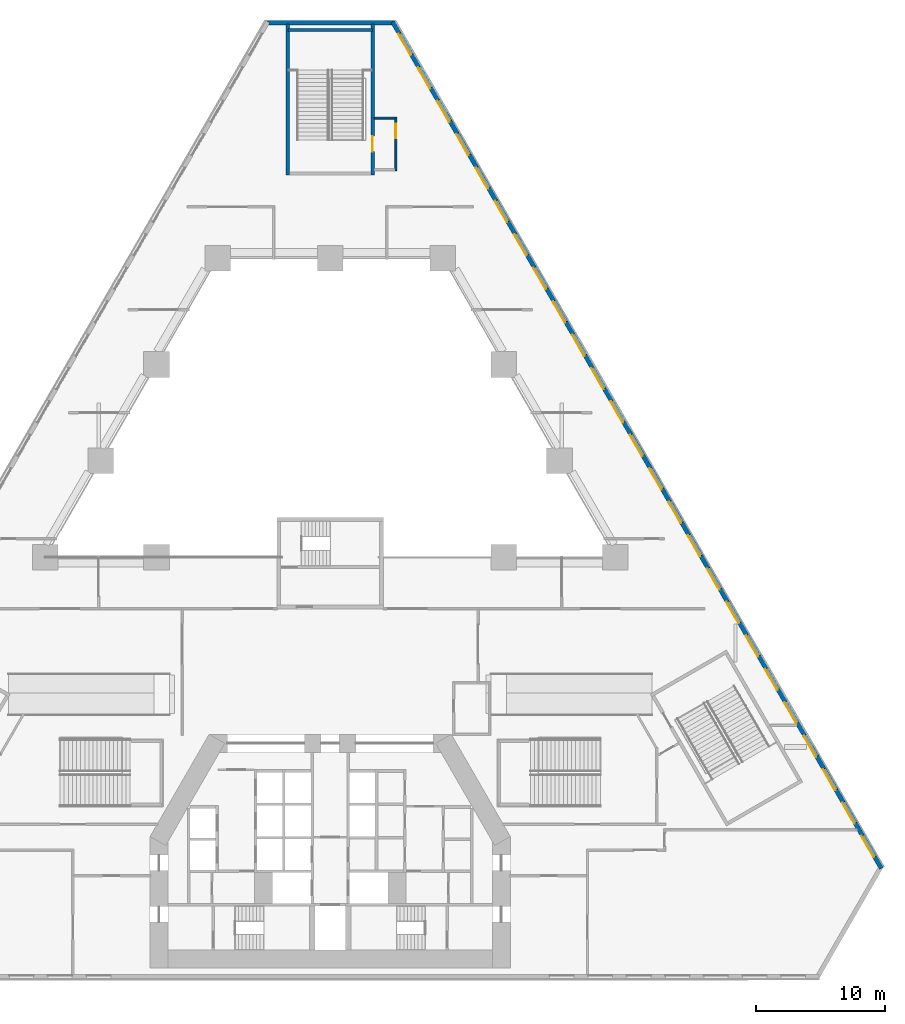
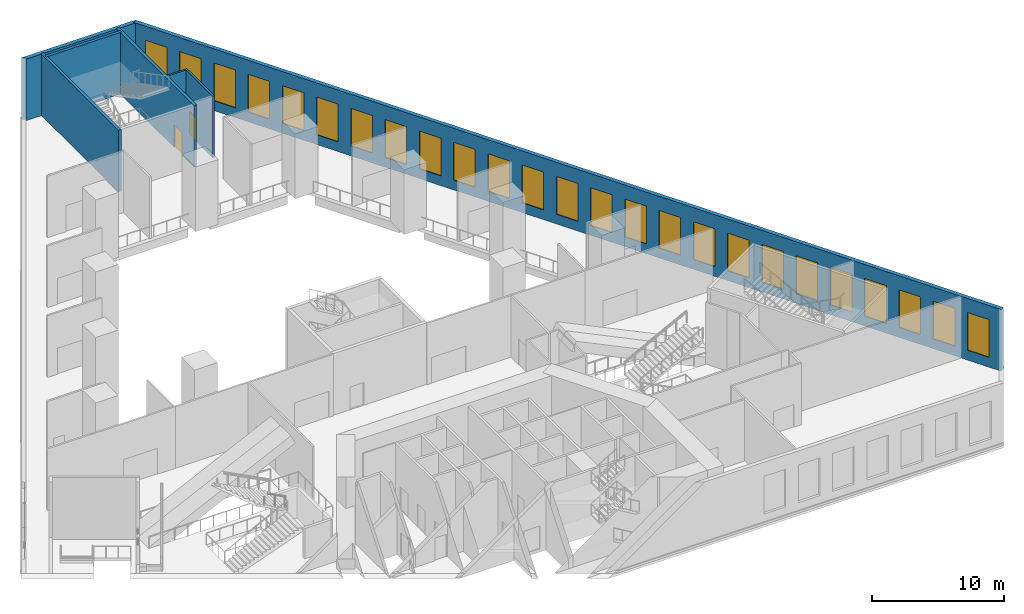
# One storey, part 8 of 16: 25 windows, 7 walls, 2 doors, 27 openings.
"""IFC4 building model written with IfcOpenShell, lengths in metres."""

from ifc_helpers import new_model, si_unit, direction, frame, frame_2d, origin, place, context, subcontext, project, spatial, polyline, rectangle, outline, extrude, material, layer, layer_set, type_object, element, fill, save


model = new_model("IFC4")

# Units and contexts
model_context = context("Model", 3, precision=1e-05, world=origin(), true_north=direction((0.0, 1.0)))
body_context = subcontext(model_context, "Body", "Model", "MODEL_VIEW")
ifc_project = project(units=[si_unit("LENGTHUNIT", "METRE"), si_unit("AREAUNIT", "SQUARE_METRE"), si_unit("VOLUMEUNIT", "CUBIC_METRE"), si_unit("PLANEANGLEUNIT", "RADIAN"), si_unit("MASSUNIT", "GRAM", prefix="KILO")], contexts=[model_context])

# Site, building, storey
site_placement = place(None, origin())
site = spatial("IfcSite", under=ifc_project, at=site_placement, CompositionType="ELEMENT")
building_placement = place(site_placement, origin())
building = spatial("IfcBuilding", under=site, at=building_placement, Name="Fogline Exchange Tower", CompositionType="ELEMENT")
storey_placement = place(building_placement, frame((0.0, 0.0, 14.0)))
storey = spatial("IfcBuildingStorey", under=building, at=storey_placement, Name="L02", CompositionType="ELEMENT", Elevation=14.0)

# Wall, openings, windows
ifc_material_1 = material(Name="Brick masonry", Category="masonry")
ifc_layer_1 = layer(ifc_material_1, 0.340087890625)
ifc_layer_set_1 = layer_set([ifc_layer_1], Name="FW1")
wall_type_1 = type_object("IfcWallType", Name="FW1", PredefinedType="SOLIDWALL", material=ifc_layer_set_1)
wall_1_placement = place(storey_placement, frame((42.852783203125, 8.5751953125, 0.0), z_axis=(0.0, 0.0, 1.0), x_axis=(-0.49999894854, 0.866026010844, 0.0)))
wall_1 = element("IfcWall", 1, at=wall_1_placement, inside=storey, type_object=wall_type_1, Name="Brick wall L02 E", PredefinedType="SOLIDWALL", context=body_context, shape_type="SweptSolid", body=[
    extrude(rectangle(XDim=76.000244140625, YDim=0.340087890625, at=frame_2d((38.0, 0.0))), origin(), (0.0, 0.0, 1.0), 5.699951171875),
])
opening_1_placement = place(wall_1_placement, frame((1.0576171875, 0.0, 0.89990234375)))
opening_1 = element("IfcOpeningElement", 2, at=opening_1_placement, cuts=wall_1, Name="Opening W7", PredefinedType="OPENING", context=body_context, shape_type="SweptSolid", body=[
    extrude(rectangle(XDim=1.885009765625, YDim=3.5, at=frame_2d((0.9423828125, 1.75))), frame((0.0, 0.18017578125, 0.0), z_axis=(0.0, -1.0, 0.0), x_axis=(1.0, 0.0, 0.0)), (0.0, 0.0, 1.0), 0.360107421875),
])
opening_2_placement = place(wall_1_placement, frame((4.0576171875, 0.0, 0.89990234375)))
opening_2 = element("IfcOpeningElement", 3, at=opening_2_placement, cuts=wall_1, Name="Opening W7", PredefinedType="OPENING", context=body_context, shape_type="SweptSolid", body=[
    extrude(rectangle(XDim=1.885009765625, YDim=3.5, at=frame_2d((0.9423828125, 1.75))), frame((0.0, 0.18017578125, 0.0), z_axis=(0.0, -1.0, 0.0), x_axis=(1.0, 0.0, 0.0)), (0.0, 0.0, 1.0), 0.360107421875),
])
opening_3_placement = place(wall_1_placement, frame((7.0576171875, 0.0, 0.89990234375)))
opening_3 = element("IfcOpeningElement", 4, at=opening_3_placement, cuts=wall_1, Name="Opening W7", PredefinedType="OPENING", context=body_context, shape_type="SweptSolid", body=[
    extrude(rectangle(XDim=1.885009765625, YDim=3.5, at=frame_2d((0.9423828125, 1.75))), frame((0.0, 0.18017578125, 0.0), z_axis=(0.0, -1.0, 0.0), x_axis=(1.0, 0.0, 0.0)), (0.0, 0.0, 1.0), 0.360107421875),
])
opening_4_placement = place(wall_1_placement, frame((10.0576171875, 0.0, 0.89990234375)))
opening_4 = element("IfcOpeningElement", 5, at=opening_4_placement, cuts=wall_1, Name="Opening W7", PredefinedType="OPENING", context=body_context, shape_type="SweptSolid", body=[
    extrude(rectangle(XDim=1.885009765625, YDim=3.5, at=frame_2d((0.9423828125, 1.75))), frame((0.0, 0.18017578125, 0.0), z_axis=(0.0, -1.0, 0.0), x_axis=(1.0, 0.0, 0.0)), (0.0, 0.0, 1.0), 0.360107421875),
])
opening_5_placement = place(wall_1_placement, frame((13.0576171875, 0.0, 0.89990234375)))
opening_5 = element("IfcOpeningElement", 6, at=opening_5_placement, cuts=wall_1, Name="Opening W7", PredefinedType="OPENING", context=body_context, shape_type="SweptSolid", body=[
    extrude(rectangle(XDim=1.885009765625, YDim=3.5, at=frame_2d((0.9423828125, 1.75))), frame((0.0, 0.18017578125, 0.0), z_axis=(0.0, -1.0, 0.0), x_axis=(1.0, 0.0, 0.0)), (0.0, 0.0, 1.0), 0.360107421875),
])
opening_6_placement = place(wall_1_placement, frame((16.0576171875, 0.0, 0.89990234375)))
opening_6 = element("IfcOpeningElement", 7, at=opening_6_placement, cuts=wall_1, Name="Opening W7", PredefinedType="OPENING", context=body_context, shape_type="SweptSolid", body=[
    extrude(rectangle(XDim=1.885009765625, YDim=3.5, at=frame_2d((0.9423828125, 1.75))), frame((0.0, 0.18017578125, 0.0), z_axis=(0.0, -1.0, 0.0), x_axis=(1.0, 0.0, 0.0)), (0.0, 0.0, 1.0), 0.360107421875),
])
opening_7_placement = place(wall_1_placement, frame((19.0576171875, 0.0, 0.89990234375)))
opening_7 = element("IfcOpeningElement", 8, at=opening_7_placement, cuts=wall_1, Name="Opening W7", PredefinedType="OPENING", context=body_context, shape_type="SweptSolid", body=[
    extrude(rectangle(XDim=1.885009765625, YDim=3.5, at=frame_2d((0.9423828125, 1.75))), frame((0.0, 0.18017578125, 0.0), z_axis=(0.0, -1.0, 0.0), x_axis=(1.0, 0.0, 0.0)), (0.0, 0.0, 1.0), 0.360107421875),
])
opening_8_placement = place(wall_1_placement, frame((22.0576171875, 0.0, 0.89990234375)))
opening_8 = element("IfcOpeningElement", 9, at=opening_8_placement, cuts=wall_1, Name="Opening W7", PredefinedType="OPENING", context=body_context, shape_type="SweptSolid", body=[
    extrude(rectangle(XDim=1.885009765625, YDim=3.5, at=frame_2d((0.9423828125, 1.75))), frame((0.0, 0.18017578125, 0.0), z_axis=(0.0, -1.0, 0.0), x_axis=(1.0, 0.0, 0.0)), (0.0, 0.0, 1.0), 0.360107421875),
])
opening_9_placement = place(wall_1_placement, frame((25.0576171875, 0.0, 0.89990234375)))
opening_9 = element("IfcOpeningElement", 10, at=opening_9_placement, cuts=wall_1, Name="Opening W7", PredefinedType="OPENING", context=body_context, shape_type="SweptSolid", body=[
    extrude(rectangle(XDim=1.885009765625, YDim=3.5, at=frame_2d((0.9423828125, 1.75))), frame((0.0, 0.18017578125, 0.0), z_axis=(0.0, -1.0, 0.0), x_axis=(1.0, 0.0, 0.0)), (0.0, 0.0, 1.0), 0.360107421875),
])
opening_10_placement = place(wall_1_placement, frame((28.0576171875, 0.0, 0.89990234375)))
opening_10 = element("IfcOpeningElement", 11, at=opening_10_placement, cuts=wall_1, Name="Opening W7", PredefinedType="OPENING", context=body_context, shape_type="SweptSolid", body=[
    extrude(rectangle(XDim=1.885009765625, YDim=3.5, at=frame_2d((0.9423828125, 1.75))), frame((0.0, 0.18017578125, 0.0), z_axis=(0.0, -1.0, 0.0), x_axis=(1.0, 0.0, 0.0)), (0.0, 0.0, 1.0), 0.360107421875),
])
opening_11_placement = place(wall_1_placement, frame((31.0576171875, 0.0, 0.89990234375)))
opening_11 = element("IfcOpeningElement", 12, at=opening_11_placement, cuts=wall_1, Name="Opening W7", PredefinedType="OPENING", context=body_context, shape_type="SweptSolid", body=[
    extrude(rectangle(XDim=1.885009765625, YDim=3.5, at=frame_2d((0.9423828125, 1.75))), frame((0.0, 0.18017578125, 0.0), z_axis=(0.0, -1.0, 0.0), x_axis=(1.0, 0.0, 0.0)), (0.0, 0.0, 1.0), 0.360107421875),
])
opening_12_placement = place(wall_1_placement, frame((34.0576171875, 0.0, 0.89990234375)))
opening_12 = element("IfcOpeningElement", 13, at=opening_12_placement, cuts=wall_1, Name="Opening W7", PredefinedType="OPENING", context=body_context, shape_type="SweptSolid", body=[
    extrude(rectangle(XDim=1.885009765625, YDim=3.5, at=frame_2d((0.9423828125, 1.75))), frame((0.0, 0.18017578125, 0.0), z_axis=(0.0, -1.0, 0.0), x_axis=(1.0, 0.0, 0.0)), (0.0, 0.0, 1.0), 0.360107421875),
])
opening_13_placement = place(wall_1_placement, frame((37.0576171875, 0.0, 0.89990234375)))
opening_13 = element("IfcOpeningElement", 14, at=opening_13_placement, cuts=wall_1, Name="Opening W7", PredefinedType="OPENING", context=body_context, shape_type="SweptSolid", body=[
    extrude(rectangle(XDim=1.885009765625, YDim=3.5, at=frame_2d((0.9423828125, 1.75))), frame((0.0, 0.18017578125, 0.0), z_axis=(0.0, -1.0, 0.0), x_axis=(1.0, 0.0, 0.0)), (0.0, 0.0, 1.0), 0.360107421875),
])
opening_14_placement = place(wall_1_placement, frame((40.0576171875, 0.0, 0.89990234375)))
opening_14 = element("IfcOpeningElement", 15, at=opening_14_placement, cuts=wall_1, Name="Opening W7", PredefinedType="OPENING", context=body_context, shape_type="SweptSolid", body=[
    extrude(rectangle(XDim=1.885009765625, YDim=3.5, at=frame_2d((0.9423828125, 1.75))), frame((0.0, 0.18017578125, 0.0), z_axis=(0.0, -1.0, 0.0), x_axis=(1.0, 0.0, 0.0)), (0.0, 0.0, 1.0), 0.360107421875),
])
opening_15_placement = place(wall_1_placement, frame((43.0576171875, 0.0, 0.89990234375)))
opening_15 = element("IfcOpeningElement", 16, at=opening_15_placement, cuts=wall_1, Name="Opening W7", PredefinedType="OPENING", context=body_context, shape_type="SweptSolid", body=[
    extrude(rectangle(XDim=1.885009765625, YDim=3.5, at=frame_2d((0.9423828125, 1.75))), frame((0.0, 0.18017578125, 0.0), z_axis=(0.0, -1.0, 0.0), x_axis=(1.0, 0.0, 0.0)), (0.0, 0.0, 1.0), 0.360107421875),
])
opening_16_placement = place(wall_1_placement, frame((46.0576171875, 0.0, 0.89990234375)))
opening_16 = element("IfcOpeningElement", 17, at=opening_16_placement, cuts=wall_1, Name="Opening W7", PredefinedType="OPENING", context=body_context, shape_type="SweptSolid", body=[
    extrude(rectangle(XDim=1.885009765625, YDim=3.5, at=frame_2d((0.9423828125, 1.75))), frame((0.0, 0.18017578125, 0.0), z_axis=(0.0, -1.0, 0.0), x_axis=(1.0, 0.0, 0.0)), (0.0, 0.0, 1.0), 0.360107421875),
])
opening_17_placement = place(wall_1_placement, frame((49.0576171875, 0.0, 0.89990234375)))
opening_17 = element("IfcOpeningElement", 18, at=opening_17_placement, cuts=wall_1, Name="Opening W7", PredefinedType="OPENING", context=body_context, shape_type="SweptSolid", body=[
    extrude(rectangle(XDim=1.885009765625, YDim=3.5, at=frame_2d((0.9423828125, 1.75))), frame((0.0, 0.18017578125, 0.0), z_axis=(0.0, -1.0, 0.0), x_axis=(1.0, 0.0, 0.0)), (0.0, 0.0, 1.0), 0.360107421875),
])
opening_18_placement = place(wall_1_placement, frame((52.0576171875, 0.0, 0.89990234375)))
opening_18 = element("IfcOpeningElement", 19, at=opening_18_placement, cuts=wall_1, Name="Opening W7", PredefinedType="OPENING", context=body_context, shape_type="SweptSolid", body=[
    extrude(rectangle(XDim=1.885009765625, YDim=3.5, at=frame_2d((0.9423828125, 1.75))), frame((0.0, 0.18017578125, 0.0), z_axis=(0.0, -1.0, 0.0), x_axis=(1.0, 0.0, 0.0)), (0.0, 0.0, 1.0), 0.360107421875),
])
opening_19_placement = place(wall_1_placement, frame((55.0576171875, 0.0, 0.89990234375)))
opening_19 = element("IfcOpeningElement", 20, at=opening_19_placement, cuts=wall_1, Name="Opening W7", PredefinedType="OPENING", context=body_context, shape_type="SweptSolid", body=[
    extrude(rectangle(XDim=1.885009765625, YDim=3.5, at=frame_2d((0.9423828125, 1.75))), frame((0.0, 0.18017578125, 0.0), z_axis=(0.0, -1.0, 0.0), x_axis=(1.0, 0.0, 0.0)), (0.0, 0.0, 1.0), 0.360107421875),
])
opening_20_placement = place(wall_1_placement, frame((58.0576171875, 0.0, 0.89990234375)))
opening_20 = element("IfcOpeningElement", 21, at=opening_20_placement, cuts=wall_1, Name="Opening W7", PredefinedType="OPENING", context=body_context, shape_type="SweptSolid", body=[
    extrude(rectangle(XDim=1.885009765625, YDim=3.5, at=frame_2d((0.9423828125, 1.75))), frame((0.0, 0.18017578125, 0.0), z_axis=(0.0, -1.0, 0.0), x_axis=(1.0, 0.0, 0.0)), (0.0, 0.0, 1.0), 0.360107421875),
])
opening_21_placement = place(wall_1_placement, frame((61.0576171875, 0.0, 0.89990234375)))
opening_21 = element("IfcOpeningElement", 22, at=opening_21_placement, cuts=wall_1, Name="Opening W7", PredefinedType="OPENING", context=body_context, shape_type="SweptSolid", body=[
    extrude(rectangle(XDim=1.885009765625, YDim=3.5, at=frame_2d((0.9423828125, 1.75))), frame((0.0, 0.18017578125, 0.0), z_axis=(0.0, -1.0, 0.0), x_axis=(1.0, 0.0, 0.0)), (0.0, 0.0, 1.0), 0.360107421875),
])
opening_22_placement = place(wall_1_placement, frame((64.0576171875, 0.0, 0.89990234375)))
opening_22 = element("IfcOpeningElement", 23, at=opening_22_placement, cuts=wall_1, Name="Opening W7", PredefinedType="OPENING", context=body_context, shape_type="SweptSolid", body=[
    extrude(rectangle(XDim=1.885009765625, YDim=3.5, at=frame_2d((0.9423828125, 1.75))), frame((0.0, 0.18017578125, 0.0), z_axis=(0.0, -1.0, 0.0), x_axis=(1.0, 0.0, 0.0)), (0.0, 0.0, 1.0), 0.360107421875),
])
opening_23_placement = place(wall_1_placement, frame((67.0576171875, 0.0, 0.89990234375)))
opening_23 = element("IfcOpeningElement", 24, at=opening_23_placement, cuts=wall_1, Name="Opening W7", PredefinedType="OPENING", context=body_context, shape_type="SweptSolid", body=[
    extrude(rectangle(XDim=1.885009765625, YDim=3.5, at=frame_2d((0.9423828125, 1.75))), frame((0.0, 0.18017578125, 0.0), z_axis=(0.0, -1.0, 0.0), x_axis=(1.0, 0.0, 0.0)), (0.0, 0.0, 1.0), 0.360107421875),
])
opening_24_placement = place(wall_1_placement, frame((70.0576171875, 0.0, 0.89990234375)))
opening_24 = element("IfcOpeningElement", 25, at=opening_24_placement, cuts=wall_1, Name="Opening W7", PredefinedType="OPENING", context=body_context, shape_type="SweptSolid", body=[
    extrude(rectangle(XDim=1.885009765625, YDim=3.5, at=frame_2d((0.9423828125, 1.75))), frame((0.0, 0.18017578125, 0.0), z_axis=(0.0, -1.0, 0.0), x_axis=(1.0, 0.0, 0.0)), (0.0, 0.0, 1.0), 0.360107421875),
])
opening_25_placement = place(wall_1_placement, frame((73.0576171875, 0.0, 0.89990234375)))
opening_25 = element("IfcOpeningElement", 26, at=opening_25_placement, cuts=wall_1, Name="Opening W7", PredefinedType="OPENING", context=body_context, shape_type="SweptSolid", body=[
    extrude(rectangle(XDim=1.885009765625, YDim=3.5, at=frame_2d((0.9423828125, 1.75))), frame((0.0, 0.18017578125, 0.0), z_axis=(0.0, -1.0, 0.0), x_axis=(1.0, 0.0, 0.0)), (0.0, 0.0, 1.0), 0.360107421875),
])
ifc_material_2 = material(Name="Aluminium and glass", Category="aluminium")
window_type = type_object("IfcWindowType", Name="W7", PartitioningType="SINGLE_PANEL", PredefinedType="WINDOW", material=ifc_material_2)
window_1_placement = place(opening_1_placement, origin())
window_1 = element("IfcWindow", 27, at=window_1_placement, inside=storey, type_object=window_type, Name="W7 W7", OverallHeight=3.5, OverallWidth=1.885009765625, PartitioningType="SINGLE_PANEL", PredefinedType="WINDOW", context=body_context, shape_type="SweptSolid", body=[
    extrude(rectangle(XDim=1.885009765625, YDim=3.5, at=frame_2d((0.9423828125, 1.75))), frame((0.0, 0.110107421875, 0.0), z_axis=(0.0, -1.0, 0.0), x_axis=(1.0, 0.0, 0.0)), (0.0, 0.0, 1.0), 0.06005859375),
])
fill(opening_1, window_1)
window_2_placement = place(opening_2_placement, origin())
window_2 = element("IfcWindow", 28, at=window_2_placement, inside=storey, type_object=window_type, Name="W7 W7", OverallHeight=3.5, OverallWidth=1.885009765625, PartitioningType="SINGLE_PANEL", PredefinedType="WINDOW", context=body_context, shape_type="SweptSolid", body=[
    extrude(rectangle(XDim=1.885009765625, YDim=3.5, at=frame_2d((0.9423828125, 1.75))), frame((0.0, 0.110107421875, 0.0), z_axis=(0.0, -1.0, 0.0), x_axis=(1.0, 0.0, 0.0)), (0.0, 0.0, 1.0), 0.06005859375),
])
fill(opening_2, window_2)
window_3_placement = place(opening_3_placement, origin())
window_3 = element("IfcWindow", 29, at=window_3_placement, inside=storey, type_object=window_type, Name="W7 W7", OverallHeight=3.5, OverallWidth=1.885009765625, PartitioningType="SINGLE_PANEL", PredefinedType="WINDOW", context=body_context, shape_type="SweptSolid", body=[
    extrude(rectangle(XDim=1.885009765625, YDim=3.5, at=frame_2d((0.9423828125, 1.75))), frame((0.0, 0.110107421875, 0.0), z_axis=(0.0, -1.0, 0.0), x_axis=(1.0, 0.0, 0.0)), (0.0, 0.0, 1.0), 0.06005859375),
])
fill(opening_3, window_3)
window_4_placement = place(opening_4_placement, origin())
window_4 = element("IfcWindow", 30, at=window_4_placement, inside=storey, type_object=window_type, Name="W7 W7", OverallHeight=3.5, OverallWidth=1.885009765625, PartitioningType="SINGLE_PANEL", PredefinedType="WINDOW", context=body_context, shape_type="SweptSolid", body=[
    extrude(rectangle(XDim=1.885009765625, YDim=3.5, at=frame_2d((0.9423828125, 1.75))), frame((0.0, 0.110107421875, 0.0), z_axis=(0.0, -1.0, 0.0), x_axis=(1.0, 0.0, 0.0)), (0.0, 0.0, 1.0), 0.06005859375),
])
fill(opening_4, window_4)
window_5_placement = place(opening_5_placement, origin())
window_5 = element("IfcWindow", 31, at=window_5_placement, inside=storey, type_object=window_type, Name="W7 W7", OverallHeight=3.5, OverallWidth=1.885009765625, PartitioningType="SINGLE_PANEL", PredefinedType="WINDOW", context=body_context, shape_type="SweptSolid", body=[
    extrude(rectangle(XDim=1.885009765625, YDim=3.5, at=frame_2d((0.9423828125, 1.75))), frame((0.0, 0.110107421875, 0.0), z_axis=(0.0, -1.0, 0.0), x_axis=(1.0, 0.0, 0.0)), (0.0, 0.0, 1.0), 0.06005859375),
])
fill(opening_5, window_5)
window_6_placement = place(opening_6_placement, origin())
window_6 = element("IfcWindow", 32, at=window_6_placement, inside=storey, type_object=window_type, Name="W7 W7", OverallHeight=3.5, OverallWidth=1.885009765625, PartitioningType="SINGLE_PANEL", PredefinedType="WINDOW", context=body_context, shape_type="SweptSolid", body=[
    extrude(rectangle(XDim=1.885009765625, YDim=3.5, at=frame_2d((0.9423828125, 1.75))), frame((0.0, 0.110107421875, 0.0), z_axis=(0.0, -1.0, 0.0), x_axis=(1.0, 0.0, 0.0)), (0.0, 0.0, 1.0), 0.06005859375),
])
fill(opening_6, window_6)
window_7_placement = place(opening_7_placement, origin())
window_7 = element("IfcWindow", 33, at=window_7_placement, inside=storey, type_object=window_type, Name="W7 W7", OverallHeight=3.5, OverallWidth=1.885009765625, PartitioningType="SINGLE_PANEL", PredefinedType="WINDOW", context=body_context, shape_type="SweptSolid", body=[
    extrude(rectangle(XDim=1.885009765625, YDim=3.5, at=frame_2d((0.9423828125, 1.75))), frame((0.0, 0.110107421875, 0.0), z_axis=(0.0, -1.0, 0.0), x_axis=(1.0, 0.0, 0.0)), (0.0, 0.0, 1.0), 0.06005859375),
])
fill(opening_7, window_7)
window_8_placement = place(opening_8_placement, origin())
window_8 = element("IfcWindow", 34, at=window_8_placement, inside=storey, type_object=window_type, Name="W7 W7", OverallHeight=3.5, OverallWidth=1.885009765625, PartitioningType="SINGLE_PANEL", PredefinedType="WINDOW", context=body_context, shape_type="SweptSolid", body=[
    extrude(rectangle(XDim=1.885009765625, YDim=3.5, at=frame_2d((0.9423828125, 1.75))), frame((0.0, 0.110107421875, 0.0), z_axis=(0.0, -1.0, 0.0), x_axis=(1.0, 0.0, 0.0)), (0.0, 0.0, 1.0), 0.06005859375),
])
fill(opening_8, window_8)
window_9_placement = place(opening_9_placement, origin())
window_9 = element("IfcWindow", 35, at=window_9_placement, inside=storey, type_object=window_type, Name="W7 W7", OverallHeight=3.5, OverallWidth=1.885009765625, PartitioningType="SINGLE_PANEL", PredefinedType="WINDOW", context=body_context, shape_type="SweptSolid", body=[
    extrude(rectangle(XDim=1.885009765625, YDim=3.5, at=frame_2d((0.9423828125, 1.75))), frame((0.0, 0.110107421875, 0.0), z_axis=(0.0, -1.0, 0.0), x_axis=(1.0, 0.0, 0.0)), (0.0, 0.0, 1.0), 0.06005859375),
])
fill(opening_9, window_9)
window_10_placement = place(opening_10_placement, origin())
window_10 = element("IfcWindow", 36, at=window_10_placement, inside=storey, type_object=window_type, Name="W7 W7", OverallHeight=3.5, OverallWidth=1.885009765625, PartitioningType="SINGLE_PANEL", PredefinedType="WINDOW", context=body_context, shape_type="SweptSolid", body=[
    extrude(rectangle(XDim=1.885009765625, YDim=3.5, at=frame_2d((0.9423828125, 1.75))), frame((0.0, 0.110107421875, 0.0), z_axis=(0.0, -1.0, 0.0), x_axis=(1.0, 0.0, 0.0)), (0.0, 0.0, 1.0), 0.06005859375),
])
fill(opening_10, window_10)
window_11_placement = place(opening_11_placement, origin())
window_11 = element("IfcWindow", 37, at=window_11_placement, inside=storey, type_object=window_type, Name="W7 W7", OverallHeight=3.5, OverallWidth=1.885009765625, PartitioningType="SINGLE_PANEL", PredefinedType="WINDOW", context=body_context, shape_type="SweptSolid", body=[
    extrude(rectangle(XDim=1.885009765625, YDim=3.5, at=frame_2d((0.9423828125, 1.75))), frame((0.0, 0.110107421875, 0.0), z_axis=(0.0, -1.0, 0.0), x_axis=(1.0, 0.0, 0.0)), (0.0, 0.0, 1.0), 0.06005859375),
])
fill(opening_11, window_11)
window_12_placement = place(opening_12_placement, origin())
window_12 = element("IfcWindow", 38, at=window_12_placement, inside=storey, type_object=window_type, Name="W7 W7", OverallHeight=3.5, OverallWidth=1.885009765625, PartitioningType="SINGLE_PANEL", PredefinedType="WINDOW", context=body_context, shape_type="SweptSolid", body=[
    extrude(rectangle(XDim=1.885009765625, YDim=3.5, at=frame_2d((0.9423828125, 1.75))), frame((0.0, 0.110107421875, 0.0), z_axis=(0.0, -1.0, 0.0), x_axis=(1.0, 0.0, 0.0)), (0.0, 0.0, 1.0), 0.06005859375),
])
fill(opening_12, window_12)
window_13_placement = place(opening_13_placement, origin())
window_13 = element("IfcWindow", 39, at=window_13_placement, inside=storey, type_object=window_type, Name="W7 W7", OverallHeight=3.5, OverallWidth=1.885009765625, PartitioningType="SINGLE_PANEL", PredefinedType="WINDOW", context=body_context, shape_type="SweptSolid", body=[
    extrude(rectangle(XDim=1.885009765625, YDim=3.5, at=frame_2d((0.9423828125, 1.75))), frame((0.0, 0.110107421875, 0.0), z_axis=(0.0, -1.0, 0.0), x_axis=(1.0, 0.0, 0.0)), (0.0, 0.0, 1.0), 0.06005859375),
])
fill(opening_13, window_13)
window_14_placement = place(opening_14_placement, origin())
window_14 = element("IfcWindow", 40, at=window_14_placement, inside=storey, type_object=window_type, Name="W7 W7", OverallHeight=3.5, OverallWidth=1.885009765625, PartitioningType="SINGLE_PANEL", PredefinedType="WINDOW", context=body_context, shape_type="SweptSolid", body=[
    extrude(rectangle(XDim=1.885009765625, YDim=3.5, at=frame_2d((0.9423828125, 1.75))), frame((0.0, 0.110107421875, 0.0), z_axis=(0.0, -1.0, 0.0), x_axis=(1.0, 0.0, 0.0)), (0.0, 0.0, 1.0), 0.06005859375),
])
fill(opening_14, window_14)
window_15_placement = place(opening_15_placement, origin())
window_15 = element("IfcWindow", 41, at=window_15_placement, inside=storey, type_object=window_type, Name="W7 W7", OverallHeight=3.5, OverallWidth=1.885009765625, PartitioningType="SINGLE_PANEL", PredefinedType="WINDOW", context=body_context, shape_type="SweptSolid", body=[
    extrude(rectangle(XDim=1.885009765625, YDim=3.5, at=frame_2d((0.9423828125, 1.75))), frame((0.0, 0.110107421875, 0.0), z_axis=(0.0, -1.0, 0.0), x_axis=(1.0, 0.0, 0.0)), (0.0, 0.0, 1.0), 0.06005859375),
])
fill(opening_15, window_15)
window_16_placement = place(opening_16_placement, origin())
window_16 = element("IfcWindow", 42, at=window_16_placement, inside=storey, type_object=window_type, Name="W7 W7", OverallHeight=3.5, OverallWidth=1.885009765625, PartitioningType="SINGLE_PANEL", PredefinedType="WINDOW", context=body_context, shape_type="SweptSolid", body=[
    extrude(rectangle(XDim=1.885009765625, YDim=3.5, at=frame_2d((0.9423828125, 1.75))), frame((0.0, 0.110107421875, 0.0), z_axis=(0.0, -1.0, 0.0), x_axis=(1.0, 0.0, 0.0)), (0.0, 0.0, 1.0), 0.06005859375),
])
fill(opening_16, window_16)
window_17_placement = place(opening_17_placement, origin())
window_17 = element("IfcWindow", 43, at=window_17_placement, inside=storey, type_object=window_type, Name="W7 W7", OverallHeight=3.5, OverallWidth=1.885009765625, PartitioningType="SINGLE_PANEL", PredefinedType="WINDOW", context=body_context, shape_type="SweptSolid", body=[
    extrude(rectangle(XDim=1.885009765625, YDim=3.5, at=frame_2d((0.9423828125, 1.75))), frame((0.0, 0.110107421875, 0.0), z_axis=(0.0, -1.0, 0.0), x_axis=(1.0, 0.0, 0.0)), (0.0, 0.0, 1.0), 0.06005859375),
])
fill(opening_17, window_17)
window_18_placement = place(opening_18_placement, origin())
window_18 = element("IfcWindow", 44, at=window_18_placement, inside=storey, type_object=window_type, Name="W7 W7", OverallHeight=3.5, OverallWidth=1.885009765625, PartitioningType="SINGLE_PANEL", PredefinedType="WINDOW", context=body_context, shape_type="SweptSolid", body=[
    extrude(rectangle(XDim=1.885009765625, YDim=3.5, at=frame_2d((0.9423828125, 1.75))), frame((0.0, 0.110107421875, 0.0), z_axis=(0.0, -1.0, 0.0), x_axis=(1.0, 0.0, 0.0)), (0.0, 0.0, 1.0), 0.06005859375),
])
fill(opening_18, window_18)
window_19_placement = place(opening_19_placement, origin())
window_19 = element("IfcWindow", 45, at=window_19_placement, inside=storey, type_object=window_type, Name="W7 W7", OverallHeight=3.5, OverallWidth=1.885009765625, PartitioningType="SINGLE_PANEL", PredefinedType="WINDOW", context=body_context, shape_type="SweptSolid", body=[
    extrude(rectangle(XDim=1.885009765625, YDim=3.5, at=frame_2d((0.9423828125, 1.75))), frame((0.0, 0.110107421875, 0.0), z_axis=(0.0, -1.0, 0.0), x_axis=(1.0, 0.0, 0.0)), (0.0, 0.0, 1.0), 0.06005859375),
])
fill(opening_19, window_19)
window_20_placement = place(opening_20_placement, origin())
window_20 = element("IfcWindow", 46, at=window_20_placement, inside=storey, type_object=window_type, Name="W7 W7", OverallHeight=3.5, OverallWidth=1.885009765625, PartitioningType="SINGLE_PANEL", PredefinedType="WINDOW", context=body_context, shape_type="SweptSolid", body=[
    extrude(rectangle(XDim=1.885009765625, YDim=3.5, at=frame_2d((0.9423828125, 1.75))), frame((0.0, 0.110107421875, 0.0), z_axis=(0.0, -1.0, 0.0), x_axis=(1.0, 0.0, 0.0)), (0.0, 0.0, 1.0), 0.06005859375),
])
fill(opening_20, window_20)
window_21_placement = place(opening_21_placement, origin())
window_21 = element("IfcWindow", 47, at=window_21_placement, inside=storey, type_object=window_type, Name="W7 W7", OverallHeight=3.5, OverallWidth=1.885009765625, PartitioningType="SINGLE_PANEL", PredefinedType="WINDOW", context=body_context, shape_type="SweptSolid", body=[
    extrude(rectangle(XDim=1.885009765625, YDim=3.5, at=frame_2d((0.9423828125, 1.75))), frame((0.0, 0.110107421875, 0.0), z_axis=(0.0, -1.0, 0.0), x_axis=(1.0, 0.0, 0.0)), (0.0, 0.0, 1.0), 0.06005859375),
])
fill(opening_21, window_21)
window_22_placement = place(opening_22_placement, origin())
window_22 = element("IfcWindow", 48, at=window_22_placement, inside=storey, type_object=window_type, Name="W7 W7", OverallHeight=3.5, OverallWidth=1.885009765625, PartitioningType="SINGLE_PANEL", PredefinedType="WINDOW", context=body_context, shape_type="SweptSolid", body=[
    extrude(rectangle(XDim=1.885009765625, YDim=3.5, at=frame_2d((0.9423828125, 1.75))), frame((0.0, 0.110107421875, 0.0), z_axis=(0.0, -1.0, 0.0), x_axis=(1.0, 0.0, 0.0)), (0.0, 0.0, 1.0), 0.06005859375),
])
fill(opening_22, window_22)
window_23_placement = place(opening_23_placement, origin())
window_23 = element("IfcWindow", 49, at=window_23_placement, inside=storey, type_object=window_type, Name="W7 W7", OverallHeight=3.5, OverallWidth=1.885009765625, PartitioningType="SINGLE_PANEL", PredefinedType="WINDOW", context=body_context, shape_type="SweptSolid", body=[
    extrude(rectangle(XDim=1.885009765625, YDim=3.5, at=frame_2d((0.9423828125, 1.75))), frame((0.0, 0.110107421875, 0.0), z_axis=(0.0, -1.0, 0.0), x_axis=(1.0, 0.0, 0.0)), (0.0, 0.0, 1.0), 0.06005859375),
])
fill(opening_23, window_23)
window_24_placement = place(opening_24_placement, origin())
window_24 = element("IfcWindow", 50, at=window_24_placement, inside=storey, type_object=window_type, Name="W7 W7", OverallHeight=3.5, OverallWidth=1.885009765625, PartitioningType="SINGLE_PANEL", PredefinedType="WINDOW", context=body_context, shape_type="SweptSolid", body=[
    extrude(rectangle(XDim=1.885009765625, YDim=3.5, at=frame_2d((0.9423828125, 1.75))), frame((0.0, 0.110107421875, 0.0), z_axis=(0.0, -1.0, 0.0), x_axis=(1.0, 0.0, 0.0)), (0.0, 0.0, 1.0), 0.06005859375),
])
fill(opening_24, window_24)
window_25_placement = place(opening_25_placement, origin())
window_25 = element("IfcWindow", 51, at=window_25_placement, inside=storey, type_object=window_type, Name="W7 W7", OverallHeight=3.5, OverallWidth=1.885009765625, PartitioningType="SINGLE_PANEL", PredefinedType="WINDOW", context=body_context, shape_type="SweptSolid", body=[
    extrude(rectangle(XDim=1.885009765625, YDim=3.5, at=frame_2d((0.9423828125, 1.75))), frame((0.0, 0.110107421875, 0.0), z_axis=(0.0, -1.0, 0.0), x_axis=(1.0, 0.0, 0.0)), (0.0, 0.0, 1.0), 0.06005859375),
])
fill(opening_25, window_25)

# Walls
wall_2_placement = place(storey_placement, origin())
element("IfcWall", 52, at=wall_2_placement, inside=storey, type_object=wall_type_1, Name="Brick wall L02 N-c", PredefinedType="SOLIDWALL", context=body_context, shape_type="SweptSolid", body=[
    extrude(outline(polyline([(5.001220703125, 74.478271484375), (4.706298828125, 74.307861328125), (4.8046875, 74.1376953125), (-4.8046875, 74.1376953125), (-4.706298828125, 74.307861328125), (-5.001220703125, 74.478271484375), (-5.0009765625, 74.478759765625), (5.0009765625, 74.478759765625), (5.001220703125, 74.478271484375)])), origin(), (0.0, 0.0, 1.0), 5.699951171875),
])
ifc_material_3 = material(Name="Plasterboard on steel stud", Category="steel")
ifc_layer_2 = layer(ifc_material_3, 0.14990234375)
ifc_layer_set_2 = layer_set([ifc_layer_2], Name="PP1")
wall_type_2 = type_object("IfcWallType", Name="PP1", PredefinedType="PARTITIONING", material=ifc_layer_set_2)
wall_3_placement = place(storey_placement, frame((3.425048828125, 66.89990234375, 0.0), z_axis=(0.0, 0.0, 1.0), x_axis=(1.0, 0.0, 0.0)))
element("IfcWall", 53, at=wall_3_placement, inside=storey, type_object=wall_type_2, Name="PP1 partition", PredefinedType="PARTITIONING", context=body_context, shape_type="SweptSolid", body=[
    extrude(rectangle(XDim=1.599853515625, YDim=0.14990234375, at=frame_2d((0.7998046875, 0.0))), origin(), (0.0, 0.0, 1.0), 5.699951171875),
])

# Wall, opening, door
wall_4_placement = place(storey_placement, frame((5.10009765625, 66.97509765625, 0.0), z_axis=(0.0, 0.0, 1.0), x_axis=(0.0, -1.0, 0.0)))
wall_4 = element("IfcWall", 54, at=wall_4_placement, inside=storey, type_object=wall_type_2, Name="PP1 partition", PredefinedType="PARTITIONING", context=body_context, shape_type="SweptSolid", body=[
    extrude(rectangle(XDim=4.150146484375, YDim=0.14990234375, at=frame_2d((2.0751953125, 0.0))), origin(), (0.0, 0.0, 1.0), 5.699951171875),
])
opening_26_placement = place(wall_4_placement, frame((0.52490234375, 0.0, 0.0)))
opening_26 = element("IfcOpeningElement", 55, at=opening_26_placement, cuts=wall_4, Name="Opening P02-D006", PredefinedType="OPENING", context=body_context, shape_type="SweptSolid", body=[
    extrude(rectangle(XDim=1.10009765625, YDim=2.10009765625, at=frame_2d((0.550048828125, 1.050048828125))), frame((0.0, 0.0849609375, 0.0), z_axis=(0.0, -1.0, 0.0), x_axis=(1.0, 0.0, 0.0)), (0.0, 0.0, 1.0), 0.169921875),
])
ifc_material_4 = material(Name="Steel Q235B", Category="steel")
door_type_1 = type_object("IfcDoorType", Name="PD5", OperationType="SINGLE_SWING_LEFT", PredefinedType="DOOR", material=ifc_material_4)
door_1_placement = place(opening_26_placement, origin())
door_1 = element("IfcDoor", 56, at=door_1_placement, inside=storey, type_object=door_type_1, Name="P02-D006", OperationType="SINGLE_SWING_LEFT", OverallHeight=2.10009765625, OverallWidth=1.10009765625, PredefinedType="DOOR", context=body_context, shape_type="SweptSolid", body=[
    extrude(rectangle(XDim=1.10009765625, YDim=2.10009765625, at=frame_2d((0.550048828125, 1.050048828125))), frame((0.0, 0.02490234375, 0.0), z_axis=(0.0, -1.0, 0.0), x_axis=(1.0, 0.0, 0.0)), (0.0, 0.0, 1.0), 0.050048828125),
])
fill(opening_26, door_1)

# Wall
ifc_material_5 = material(Name="Concrete C40", Category="concrete")
ifc_layer_3 = layer(ifc_material_5, 0.25)
ifc_layer_set_3 = layer_set([ifc_layer_3], Name="PP3")
wall_type_3 = type_object("IfcWallType", Name="PP3", PredefinedType="SOLIDWALL", material=ifc_layer_set_3)
wall_5_placement = place(storey_placement, frame((-3.300048828125, 62.47509765625, 0.0), z_axis=(0.0, 0.0, 1.0), x_axis=(0.0, 1.0, 0.0)))
element("IfcWall", 57, at=wall_5_placement, inside=storey, type_object=wall_type_3, Name="PP3 bearing wall", PredefinedType="SOLIDWALL", context=body_context, shape_type="SweptSolid", body=[
    extrude(rectangle(XDim=11.758056640625, YDim=0.25, at=frame_2d((5.87890625, 0.0))), origin(), (0.0, 0.0, 1.0), 5.699951171875),
])

# Wall, opening, door
wall_6_placement = place(storey_placement, frame((3.300048828125, 74.233154296875, 0.0), z_axis=(0.0, 0.0, 1.0), x_axis=(0.0, -1.0, 0.0)))
wall_6 = element("IfcWall", 58, at=wall_6_placement, inside=storey, type_object=wall_type_3, Name="PP3 bearing wall", PredefinedType="SOLIDWALL", context=body_context, shape_type="SweptSolid", body=[
    extrude(rectangle(XDim=11.758056640625, YDim=0.25, at=frame_2d((5.87890625, 0.0))), origin(), (0.0, 0.0, 1.0), 5.699951171875),
])
opening_27_placement = place(wall_6_placement, frame((8.733154296875, 0.0, 0.0)))
opening_27 = element("IfcOpeningElement", 59, at=opening_27_placement, cuts=wall_6, Name="Opening P02-D001", PredefinedType="OPENING", context=body_context, shape_type="SweptSolid", body=[
    extrude(rectangle(XDim=1.199951171875, YDim=2.10009765625, at=frame_2d((0.60009765625, 1.050048828125))), frame((0.0, 0.135009765625, 0.0), z_axis=(0.0, -1.0, 0.0), x_axis=(1.0, 0.0, 0.0)), (0.0, 0.0, 1.0), 0.27001953125),
])
door_type_2 = type_object("IfcDoorType", Name="PD7", OperationType="SINGLE_SWING_LEFT", PredefinedType="DOOR", material=ifc_material_4)
door_2_placement = place(opening_27_placement, origin())
door_2 = element("IfcDoor", 60, at=door_2_placement, inside=storey, type_object=door_type_2, Name="P02-D001", OperationType="SINGLE_SWING_LEFT", OverallHeight=2.10009765625, OverallWidth=1.199951171875, PredefinedType="DOOR", context=body_context, shape_type="SweptSolid", body=[
    extrude(rectangle(XDim=1.199951171875, YDim=2.10009765625, at=frame_2d((0.60009765625, 1.050048828125))), frame((0.0, 0.02490234375, 0.0), z_axis=(0.0, -1.0, 0.0), x_axis=(1.0, 0.0, 0.0)), (0.0, 0.0, 1.0), 0.050048828125),
])
fill(opening_27, door_2)

# Wall
ifc_layer_4 = layer(ifc_material_5, 0.25)
ifc_layer_set_4 = layer_set([ifc_layer_4], Name="PP6")
wall_type_4 = type_object("IfcWallType", Name="PP6", PredefinedType="SOLIDWALL", material=ifc_layer_set_4)
wall_7_placement = place(storey_placement, frame((-3.300048828125, 73.75, 0.0), z_axis=(0.0, 0.0, 1.0), x_axis=(1.0, 0.0, 0.0)))
element("IfcWall", 61, at=wall_7_placement, inside=storey, type_object=wall_type_4, Name="PP6 bearing wall", PredefinedType="SOLIDWALL", context=body_context, shape_type="SweptSolid", body=[
    extrude(rectangle(XDim=6.60009765625, YDim=0.25, at=frame_2d((3.300048828125, 0.0))), origin(), (0.0, 0.0, 1.0), 5.699951171875),
])

save(model, "model.ifc")
